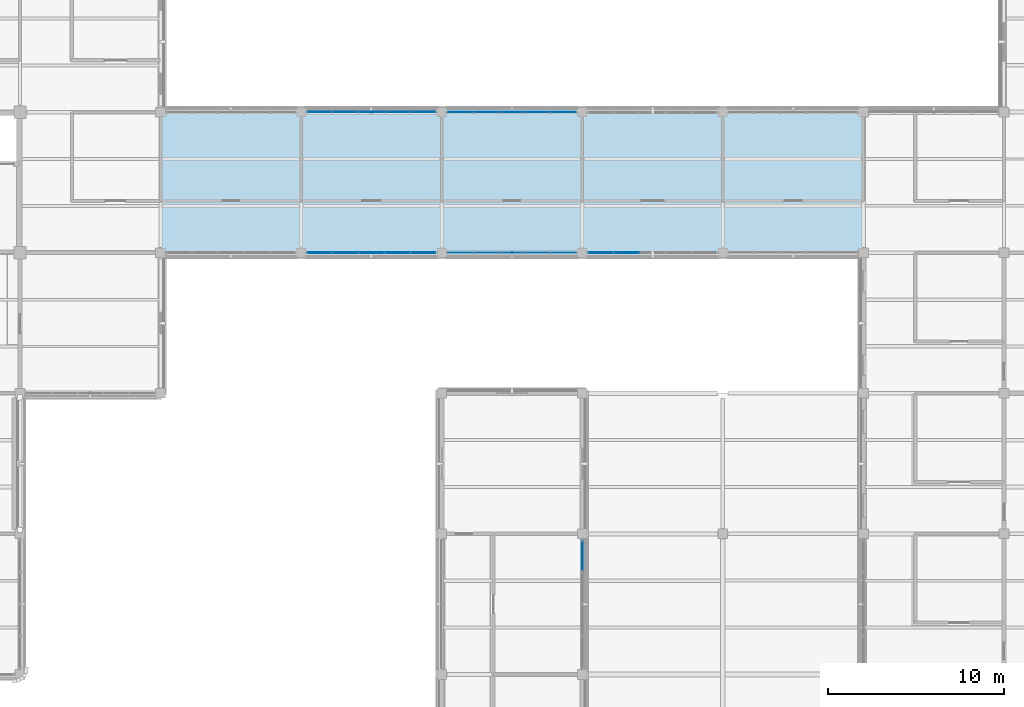
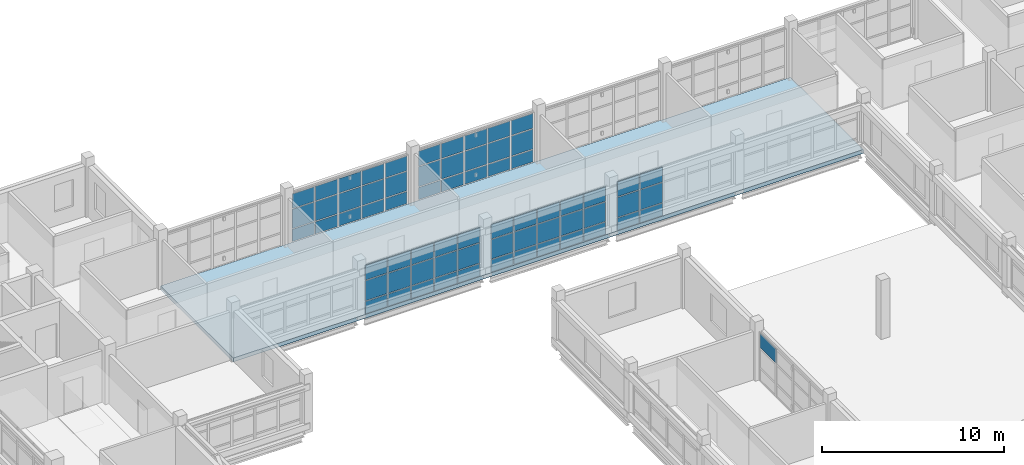
# One storey, part 66 of 107: 67 plates, 1 slab, 6 elements without a shape of their own.
"""IFC4 building model written with IfcOpenShell, lengths in metres."""

from ifc_helpers import new_model, si_unit, derived_unit, direction, frame, origin, origin_2d, place, context, subcontext, project, spatial, polyline, rectangle, outline, extrude, material, layer, layer_set, type_object, element, aggregate, save


model = new_model("IFC4")

# Units and contexts
model_context = context("Model", 3, precision=1e-05, world=origin(), true_north=direction((0.0, 1.0)))
body_context = subcontext(model_context, "Body", "Model", "MODEL_VIEW")
ifc_project = project(units=[si_unit("LENGTHUNIT", "METRE"), si_unit("AREAUNIT", "SQUARE_METRE"), si_unit("VOLUMEUNIT", "CUBIC_METRE"), si_unit("PLANEANGLEUNIT", "RADIAN"), si_unit("MASSUNIT", "GRAM", prefix="KILO"), derived_unit("THERMALTRANSMITTANCEUNIT", [(si_unit("MASSUNIT", "GRAM", prefix="KILO"), 1), (si_unit("TIMEUNIT", "SECOND"), -3), (si_unit("THERMODYNAMICTEMPERATUREUNIT", "KELVIN"), -1)])], contexts=[model_context])

# Site, building, storey
site_placement = place(None, origin())
site = spatial("IfcSite", under=ifc_project, at=site_placement, CompositionType="ELEMENT")
building_placement = place(site_placement, origin())
building = spatial("IfcBuilding", under=site, at=building_placement, Name="Veyamyaing Civic Hall", CompositionType="ELEMENT")
storey_placement = place(building_placement, frame((0.0, 0.0, 13.860107421875)))
storey = spatial("IfcBuildingStorey", under=building, at=storey_placement, Name="L03", CompositionType="ELEMENT", Elevation=13.860107421875)

# Curtain wall, plate
ifc_material_1 = material(Name="Anodised aluminium 6063-T6", Category="aluminium")
ifc_layer_1 = layer(ifc_material_1, 0.159912109375, Name="Anodised aluminium 6063-T6")
ifc_layer_set_1 = layer_set([ifc_layer_1], Name="Anodised aluminium 6063-T6")
curtain_wall_type_1 = type_object("IfcCurtainWallType", Name="CW-07", PredefinedType="NOTDEFINED", material=ifc_layer_set_1)
curtain_wall_1_placement = place(storey_placement, origin())
curtain_wall_1 = element("IfcCurtainWall", 1, at=curtain_wall_1_placement, inside=storey, type_object=curtain_wall_type_1, Name="Unitized curtain wall CW-07 L03 E 18.4", PredefinedType="NOTDEFINED")
ifc_material_2 = material(Name="Low-E insulated glass", Category="glass")
ifc_layer_2 = layer(ifc_material_2, 0.028076171875, Name="Low-E insulated glass")
ifc_layer_set_2 = layer_set([ifc_layer_2], Name="Low-E insulated glass")
plate_type_1 = type_object("IfcPlateType", Name="CWP-01", PredefinedType="CURTAIN_PANEL", material=ifc_layer_set_2)
plate_1_placement = place(storey_placement, frame((144.0, 30.7548828125, 2.24169921875), z_axis=(0.0, 0.0, 1.0), x_axis=(0.0, 1.0, 0.0)))
plate_1 = element("IfcPlate", 2, at=plate_1_placement, type_object=plate_type_1, Name="CW-07 panel 4.3", PredefinedType="CURTAIN_PANEL", context=body_context, shape_type="SweptSolid", body=[
    extrude(rectangle(XDim=1.75, YDim=0.028076171875, at=origin_2d()), origin(), (0.0, 0.0, 1.0), 0.942138671875),
])
aggregate(curtain_wall_1, [plate_1])

# Curtain wall, plates
ifc_layer_3 = layer(ifc_material_1, 0.139892578125, Name="Anodised aluminium 6063-T6")
ifc_layer_set_3 = layer_set([ifc_layer_3], Name="Anodised aluminium 6063-T6")
curtain_wall_type_2 = type_object("IfcCurtainWallType", Name="CW-04", PredefinedType="NOTDEFINED", material=ifc_layer_set_3)
curtain_wall_2_placement = place(storey_placement, origin())
curtain_wall_2 = element("IfcCurtainWall", 3, at=curtain_wall_2_placement, inside=storey, type_object=curtain_wall_type_2, Name="Unitized curtain wall CW-04 L03 S 17.7", PredefinedType="NOTDEFINED")
ifc_layer_4 = layer(ifc_material_2, 0.035888671875, Name="Low-E insulated glass")
ifc_layer_set_4 = layer_set([ifc_layer_4], Name="Low-E insulated glass")
plate_type_2 = type_object("IfcPlateType", Name="CWP-03", PredefinedType="CURTAIN_PANEL", material=ifc_layer_set_4)
plate_2_placement = place(storey_placement, frame((129.05908203125, 48.0, 0.059814453125), z_axis=(0.0, 0.0, 1.0), x_axis=(1.0, 0.0, 0.0)))
plate_2 = element("IfcPlate", 4, at=plate_2_placement, type_object=plate_type_2, Name="CW-04 panel 1.1", PredefinedType="CURTAIN_PANEL", context=body_context, shape_type="SweptSolid", body=[
    extrude(rectangle(XDim=1.387939453125, YDim=0.035888671875, at=origin_2d()), origin(), (0.0, 0.0, 1.0), 0.81005859375),
])
plate_3_placement = place(storey_placement, frame((129.05908203125, 48.0, 0.93017578125), z_axis=(0.0, 0.0, 1.0), x_axis=(1.0, 0.0, 0.0)))
plate_3 = element("IfcPlate", 5, at=plate_3_placement, type_object=plate_type_2, Name="CW-04 panel 1.2", PredefinedType="CURTAIN_PANEL", context=body_context, shape_type="SweptSolid", body=[
    extrude(rectangle(XDim=1.387939453125, YDim=0.035888671875, at=origin_2d()), origin(), (0.0, 0.0, 1.0), 1.327392578125),
])
plate_4_placement = place(storey_placement, frame((129.05908203125, 48.0, 2.3173828125), z_axis=(0.0, 0.0, 1.0), x_axis=(1.0, 0.0, 0.0)))
plate_4 = element("IfcPlate", 6, at=plate_4_placement, type_object=plate_type_2, Name="CW-04 panel 1.3", PredefinedType="CURTAIN_PANEL", context=body_context, shape_type="SweptSolid", body=[
    extrude(rectangle(XDim=1.387939453125, YDim=0.035888671875, at=origin_2d()), origin(), (0.0, 0.0, 1.0), 0.986572265625),
])
plate_5_placement = place(storey_placement, frame((130.52197265625, 48.0, 0.059814453125), z_axis=(0.0, 0.0, 1.0), x_axis=(1.0, 0.0, 0.0)))
plate_5 = element("IfcPlate", 7, at=plate_5_placement, type_object=plate_type_2, Name="CW-04 panel 2.1", PredefinedType="CURTAIN_PANEL", context=body_context, shape_type="SweptSolid", body=[
    extrude(rectangle(XDim=1.41796875, YDim=0.035888671875, at=origin_2d()), origin(), (0.0, 0.0, 1.0), 0.81005859375),
])
plate_6_placement = place(storey_placement, frame((130.52197265625, 48.0, 0.93017578125), z_axis=(0.0, 0.0, 1.0), x_axis=(1.0, 0.0, 0.0)))
plate_6 = element("IfcPlate", 8, at=plate_6_placement, type_object=plate_type_2, Name="CW-04 panel 2.2", PredefinedType="CURTAIN_PANEL", context=body_context, shape_type="SweptSolid", body=[
    extrude(rectangle(XDim=1.41796875, YDim=0.035888671875, at=origin_2d()), origin(), (0.0, 0.0, 1.0), 1.327392578125),
])
plate_7_placement = place(storey_placement, frame((130.52197265625, 48.0, 2.3173828125), z_axis=(0.0, 0.0, 1.0), x_axis=(1.0, 0.0, 0.0)))
plate_7 = element("IfcPlate", 9, at=plate_7_placement, type_object=plate_type_2, Name="CW-04 panel 2.3", PredefinedType="CURTAIN_PANEL", context=body_context, shape_type="SweptSolid", body=[
    extrude(rectangle(XDim=1.41796875, YDim=0.035888671875, at=origin_2d()), origin(), (0.0, 0.0, 1.0), 0.986572265625),
])
plate_8_placement = place(storey_placement, frame((132.0, 48.0, 0.059814453125), z_axis=(0.0, 0.0, 1.0), x_axis=(1.0, 0.0, 0.0)))
plate_8 = element("IfcPlate", 10, at=plate_8_placement, type_object=plate_type_2, Name="CW-04 panel 3.1", PredefinedType="CURTAIN_PANEL", context=body_context, shape_type="SweptSolid", body=[
    extrude(rectangle(XDim=1.41796875, YDim=0.035888671875, at=origin_2d()), origin(), (0.0, 0.0, 1.0), 0.81005859375),
])
plate_9_placement = place(storey_placement, frame((132.0, 48.0, 0.93017578125), z_axis=(0.0, 0.0, 1.0), x_axis=(1.0, 0.0, 0.0)))
plate_9 = element("IfcPlate", 11, at=plate_9_placement, type_object=plate_type_2, Name="CW-04 panel 3.2", PredefinedType="CURTAIN_PANEL", context=body_context, shape_type="SweptSolid", body=[
    extrude(rectangle(XDim=1.41796875, YDim=0.035888671875, at=origin_2d()), origin(), (0.0, 0.0, 1.0), 1.327392578125),
])
plate_10_placement = place(storey_placement, frame((132.0, 48.0, 2.3173828125), z_axis=(0.0, 0.0, 1.0), x_axis=(1.0, 0.0, 0.0)))
plate_10 = element("IfcPlate", 12, at=plate_10_placement, type_object=plate_type_2, Name="CW-04 panel 3.3", PredefinedType="CURTAIN_PANEL", context=body_context, shape_type="SweptSolid", body=[
    extrude(rectangle(XDim=1.41796875, YDim=0.035888671875, at=origin_2d()), origin(), (0.0, 0.0, 1.0), 0.986572265625),
])
plate_11_placement = place(storey_placement, frame((133.47802734375, 48.0, 0.059814453125), z_axis=(0.0, 0.0, 1.0), x_axis=(1.0, 0.0, 0.0)))
plate_11 = element("IfcPlate", 13, at=plate_11_placement, type_object=plate_type_2, Name="CW-04 panel 4.1", PredefinedType="CURTAIN_PANEL", context=body_context, shape_type="SweptSolid", body=[
    extrude(rectangle(XDim=1.41796875, YDim=0.035888671875, at=origin_2d()), origin(), (0.0, 0.0, 1.0), 0.81005859375),
])
plate_12_placement = place(storey_placement, frame((133.47802734375, 48.0, 0.93017578125), z_axis=(0.0, 0.0, 1.0), x_axis=(1.0, 0.0, 0.0)))
plate_12 = element("IfcPlate", 14, at=plate_12_placement, type_object=plate_type_2, Name="CW-04 panel 4.2", PredefinedType="CURTAIN_PANEL", context=body_context, shape_type="SweptSolid", body=[
    extrude(rectangle(XDim=1.41796875, YDim=0.035888671875, at=origin_2d()), origin(), (0.0, 0.0, 1.0), 1.327392578125),
])
plate_13_placement = place(storey_placement, frame((133.47802734375, 48.0, 2.3173828125), z_axis=(0.0, 0.0, 1.0), x_axis=(1.0, 0.0, 0.0)))
plate_13 = element("IfcPlate", 15, at=plate_13_placement, type_object=plate_type_2, Name="CW-04 panel 4.3", PredefinedType="CURTAIN_PANEL", context=body_context, shape_type="SweptSolid", body=[
    extrude(rectangle(XDim=1.41796875, YDim=0.035888671875, at=origin_2d()), origin(), (0.0, 0.0, 1.0), 0.986572265625),
])
plate_14_placement = place(storey_placement, frame((134.94091796875, 48.0, 0.059814453125), z_axis=(0.0, 0.0, 1.0), x_axis=(1.0, 0.0, 0.0)))
plate_14 = element("IfcPlate", 16, at=plate_14_placement, type_object=plate_type_2, Name="CW-04 panel 5.1", PredefinedType="CURTAIN_PANEL", context=body_context, shape_type="SweptSolid", body=[
    extrude(rectangle(XDim=1.387939453125, YDim=0.035888671875, at=origin_2d()), origin(), (0.0, 0.0, 1.0), 0.81005859375),
])
plate_15_placement = place(storey_placement, frame((134.94091796875, 48.0, 0.93017578125), z_axis=(0.0, 0.0, 1.0), x_axis=(1.0, 0.0, 0.0)))
plate_15 = element("IfcPlate", 17, at=plate_15_placement, type_object=plate_type_2, Name="CW-04 panel 5.2", PredefinedType="CURTAIN_PANEL", context=body_context, shape_type="SweptSolid", body=[
    extrude(rectangle(XDim=1.387939453125, YDim=0.035888671875, at=origin_2d()), origin(), (0.0, 0.0, 1.0), 1.327392578125),
])
plate_16_placement = place(storey_placement, frame((134.94091796875, 48.0, 2.3173828125), z_axis=(0.0, 0.0, 1.0), x_axis=(1.0, 0.0, 0.0)))
plate_16 = element("IfcPlate", 18, at=plate_16_placement, type_object=plate_type_2, Name="CW-04 panel 5.3", PredefinedType="CURTAIN_PANEL", context=body_context, shape_type="SweptSolid", body=[
    extrude(rectangle(XDim=1.387939453125, YDim=0.035888671875, at=origin_2d()), origin(), (0.0, 0.0, 1.0), 0.986572265625),
])
aggregate(curtain_wall_2, [plate_2, plate_3, plate_4, plate_5, plate_6, plate_7, plate_8, plate_9, plate_10, plate_11, plate_12, plate_13, plate_14, plate_15, plate_16])

curtain_wall_3_placement = place(storey_placement, origin())
curtain_wall_3 = element("IfcCurtainWall", 19, at=curtain_wall_3_placement, inside=storey, type_object=curtain_wall_type_2, Name="Unitized curtain wall CW-04 L03 N 17.7", PredefinedType="NOTDEFINED")
plate_17_placement = place(storey_placement, frame((129.05908203125, 56.0, 0.059814453125), z_axis=(0.0, 0.0, 1.0), x_axis=(1.0, 0.0, 0.0)))
plate_17 = element("IfcPlate", 20, at=plate_17_placement, type_object=plate_type_2, Name="CW-04 panel 1.1", PredefinedType="CURTAIN_PANEL", context=body_context, shape_type="SweptSolid", body=[
    extrude(rectangle(XDim=1.387939453125, YDim=0.035888671875, at=origin_2d()), origin(), (0.0, 0.0, 1.0), 0.81005859375),
])
plate_18_placement = place(storey_placement, frame((129.05908203125, 56.0, 0.929931640625), z_axis=(0.0, 0.0, 1.0), x_axis=(1.0, 0.0, 0.0)))
plate_18 = element("IfcPlate", 21, at=plate_18_placement, type_object=plate_type_2, Name="CW-04 panel 1.2", PredefinedType="CURTAIN_PANEL", context=body_context, shape_type="SweptSolid", body=[
    extrude(rectangle(XDim=1.387939453125, YDim=0.035888671875, at=origin_2d()), origin(), (0.0, 0.0, 1.0), 1.28662109375),
])
plate_19_placement = place(storey_placement, frame((129.05908203125, 56.0, 2.276611328125), z_axis=(0.0, 0.0, 1.0), x_axis=(1.0, 0.0, 0.0)))
plate_19 = element("IfcPlate", 22, at=plate_19_placement, type_object=plate_type_2, Name="CW-04 panel 1.3", PredefinedType="CURTAIN_PANEL", context=body_context, shape_type="SweptSolid", body=[
    extrude(rectangle(XDim=1.387939453125, YDim=0.035888671875, at=origin_2d()), origin(), (0.0, 0.0, 1.0), 0.96728515625),
])
plate_20_placement = place(storey_placement, frame((130.52197265625, 56.0, 0.059814453125), z_axis=(0.0, 0.0, 1.0), x_axis=(1.0, 0.0, 0.0)))
plate_20 = element("IfcPlate", 23, at=plate_20_placement, type_object=plate_type_2, Name="CW-04 panel 2.1", PredefinedType="CURTAIN_PANEL", context=body_context, shape_type="SweptSolid", body=[
    extrude(rectangle(XDim=1.41796875, YDim=0.035888671875, at=origin_2d()), origin(), (0.0, 0.0, 1.0), 0.81005859375),
])
plate_21_placement = place(storey_placement, frame((130.52197265625, 56.0, 0.929931640625), z_axis=(0.0, 0.0, 1.0), x_axis=(1.0, 0.0, 0.0)))
plate_21 = element("IfcPlate", 24, at=plate_21_placement, type_object=plate_type_2, Name="CW-04 panel 2.2", PredefinedType="CURTAIN_PANEL", context=body_context, shape_type="SweptSolid", body=[
    extrude(rectangle(XDim=1.41796875, YDim=0.035888671875, at=origin_2d()), origin(), (0.0, 0.0, 1.0), 1.28662109375),
])
plate_22_placement = place(storey_placement, frame((130.52197265625, 56.0, 2.276611328125), z_axis=(0.0, 0.0, 1.0), x_axis=(1.0, 0.0, 0.0)))
plate_22 = element("IfcPlate", 25, at=plate_22_placement, type_object=plate_type_2, Name="CW-04 panel 2.3", PredefinedType="CURTAIN_PANEL", context=body_context, shape_type="SweptSolid", body=[
    extrude(rectangle(XDim=1.41796875, YDim=0.035888671875, at=origin_2d()), origin(), (0.0, 0.0, 1.0), 0.96728515625),
])
plate_23_placement = place(storey_placement, frame((132.0, 56.0, 0.059814453125), z_axis=(0.0, 0.0, 1.0), x_axis=(1.0, 0.0, 0.0)))
plate_23 = element("IfcPlate", 26, at=plate_23_placement, type_object=plate_type_2, Name="CW-04 panel 3.1", PredefinedType="CURTAIN_PANEL", context=body_context, shape_type="SweptSolid", body=[
    extrude(rectangle(XDim=1.41796875, YDim=0.035888671875, at=origin_2d()), origin(), (0.0, 0.0, 1.0), 0.81005859375),
])
plate_24_placement = place(storey_placement, frame((132.0, 56.0, 0.929931640625), z_axis=(0.0, 0.0, 1.0), x_axis=(1.0, 0.0, 0.0)))
plate_24 = element("IfcPlate", 27, at=plate_24_placement, type_object=plate_type_2, Name="CW-04 panel 3.2", PredefinedType="CURTAIN_PANEL", context=body_context, shape_type="SweptSolid", body=[
    extrude(rectangle(XDim=1.41796875, YDim=0.035888671875, at=origin_2d()), origin(), (0.0, 0.0, 1.0), 1.28662109375),
])
plate_25_placement = place(storey_placement, frame((132.0, 56.0, 2.276611328125), z_axis=(0.0, 0.0, 1.0), x_axis=(1.0, 0.0, 0.0)))
plate_25 = element("IfcPlate", 28, at=plate_25_placement, type_object=plate_type_2, Name="CW-04 panel 3.3", PredefinedType="CURTAIN_PANEL", context=body_context, shape_type="SweptSolid", body=[
    extrude(rectangle(XDim=1.41796875, YDim=0.035888671875, at=origin_2d()), origin(), (0.0, 0.0, 1.0), 0.96728515625),
])
plate_26_placement = place(storey_placement, frame((133.47802734375, 56.0, 0.059814453125), z_axis=(0.0, 0.0, 1.0), x_axis=(1.0, 0.0, 0.0)))
plate_26 = element("IfcPlate", 29, at=plate_26_placement, type_object=plate_type_2, Name="CW-04 panel 4.1", PredefinedType="CURTAIN_PANEL", context=body_context, shape_type="SweptSolid", body=[
    extrude(rectangle(XDim=1.41796875, YDim=0.035888671875, at=origin_2d()), origin(), (0.0, 0.0, 1.0), 0.81005859375),
])
plate_27_placement = place(storey_placement, frame((133.47802734375, 56.0, 0.929931640625), z_axis=(0.0, 0.0, 1.0), x_axis=(1.0, 0.0, 0.0)))
plate_27 = element("IfcPlate", 30, at=plate_27_placement, type_object=plate_type_2, Name="CW-04 panel 4.2", PredefinedType="CURTAIN_PANEL", context=body_context, shape_type="SweptSolid", body=[
    extrude(rectangle(XDim=1.41796875, YDim=0.035888671875, at=origin_2d()), origin(), (0.0, 0.0, 1.0), 1.28662109375),
])
plate_28_placement = place(storey_placement, frame((133.47802734375, 56.0, 2.276611328125), z_axis=(0.0, 0.0, 1.0), x_axis=(1.0, 0.0, 0.0)))
plate_28 = element("IfcPlate", 31, at=plate_28_placement, type_object=plate_type_2, Name="CW-04 panel 4.3", PredefinedType="CURTAIN_PANEL", context=body_context, shape_type="SweptSolid", body=[
    extrude(rectangle(XDim=1.41796875, YDim=0.035888671875, at=origin_2d()), origin(), (0.0, 0.0, 1.0), 0.96728515625),
])
plate_29_placement = place(storey_placement, frame((134.94091796875, 56.0, 0.059814453125), z_axis=(0.0, 0.0, 1.0), x_axis=(1.0, 0.0, 0.0)))
plate_29 = element("IfcPlate", 32, at=plate_29_placement, type_object=plate_type_2, Name="CW-04 panel 5.1", PredefinedType="CURTAIN_PANEL", context=body_context, shape_type="SweptSolid", body=[
    extrude(rectangle(XDim=1.387939453125, YDim=0.035888671875, at=origin_2d()), origin(), (0.0, 0.0, 1.0), 0.81005859375),
])
plate_30_placement = place(storey_placement, frame((134.94091796875, 56.0, 0.929931640625), z_axis=(0.0, 0.0, 1.0), x_axis=(1.0, 0.0, 0.0)))
plate_30 = element("IfcPlate", 33, at=plate_30_placement, type_object=plate_type_2, Name="CW-04 panel 5.2", PredefinedType="CURTAIN_PANEL", context=body_context, shape_type="SweptSolid", body=[
    extrude(rectangle(XDim=1.387939453125, YDim=0.035888671875, at=origin_2d()), origin(), (0.0, 0.0, 1.0), 1.28662109375),
])
plate_31_placement = place(storey_placement, frame((134.94091796875, 56.0, 2.276611328125), z_axis=(0.0, 0.0, 1.0), x_axis=(1.0, 0.0, 0.0)))
plate_31 = element("IfcPlate", 34, at=plate_31_placement, type_object=plate_type_2, Name="CW-04 panel 5.3", PredefinedType="CURTAIN_PANEL", context=body_context, shape_type="SweptSolid", body=[
    extrude(rectangle(XDim=1.387939453125, YDim=0.035888671875, at=origin_2d()), origin(), (0.0, 0.0, 1.0), 0.96728515625),
])
aggregate(curtain_wall_3, [plate_17, plate_18, plate_19, plate_20, plate_21, plate_22, plate_23, plate_24, plate_25, plate_26, plate_27, plate_28, plate_29, plate_30, plate_31])

curtain_wall_4_placement = place(storey_placement, origin())
curtain_wall_4 = element("IfcCurtainWall", 35, at=curtain_wall_4_placement, inside=storey, type_object=curtain_wall_type_2, Name="Unitized curtain wall CW-04 L03 S 18.7", PredefinedType="NOTDEFINED")
ifc_layer_5 = layer(ifc_material_2, 0.02392578125, Name="Low-E insulated glass")
ifc_layer_set_5 = layer_set([ifc_layer_5], Name="Low-E insulated glass")
plate_type_3 = type_object("IfcPlateType", Name="CWP-04", PredefinedType="CURTAIN_PANEL", material=ifc_layer_set_5)
plate_32_placement = place(storey_placement, frame((137.05908203125, 48.0, 0.059814453125), z_axis=(0.0, 0.0, 1.0), x_axis=(1.0, 0.0, 0.0)))
plate_32 = element("IfcPlate", 36, at=plate_32_placement, type_object=plate_type_3, Name="CW-04 panel 1.1", PredefinedType="CURTAIN_PANEL", context=body_context, shape_type="SweptSolid", body=[
    extrude(rectangle(XDim=1.387939453125, YDim=0.02392578125, at=origin_2d()), origin(), (0.0, 0.0, 1.0), 0.81005859375),
])
plate_33_placement = place(storey_placement, frame((137.05908203125, 48.0, 0.929931640625), z_axis=(0.0, 0.0, 1.0), x_axis=(1.0, 0.0, 0.0)))
plate_33 = element("IfcPlate", 37, at=plate_33_placement, type_object=plate_type_3, Name="CW-04 panel 1.2", PredefinedType="CURTAIN_PANEL", context=body_context, shape_type="SweptSolid", body=[
    extrude(rectangle(XDim=1.387939453125, YDim=0.02392578125, at=origin_2d()), origin(), (0.0, 0.0, 1.0), 1.28662109375),
])
plate_34_placement = place(storey_placement, frame((137.05908203125, 48.0, 2.276611328125), z_axis=(0.0, 0.0, 1.0), x_axis=(1.0, 0.0, 0.0)))
plate_34 = element("IfcPlate", 38, at=plate_34_placement, type_object=plate_type_3, Name="CW-04 panel 1.3", PredefinedType="CURTAIN_PANEL", context=body_context, shape_type="SweptSolid", body=[
    extrude(rectangle(XDim=1.387939453125, YDim=0.02392578125, at=origin_2d()), origin(), (0.0, 0.0, 1.0), 0.96728515625),
])
plate_35_placement = place(storey_placement, frame((138.52197265625, 48.0, 0.059814453125), z_axis=(0.0, 0.0, 1.0), x_axis=(1.0, 0.0, 0.0)))
plate_35 = element("IfcPlate", 39, at=plate_35_placement, type_object=plate_type_3, Name="CW-04 panel 2.1", PredefinedType="CURTAIN_PANEL", context=body_context, shape_type="SweptSolid", body=[
    extrude(rectangle(XDim=1.41796875, YDim=0.02392578125, at=origin_2d()), origin(), (0.0, 0.0, 1.0), 0.81005859375),
])
plate_36_placement = place(storey_placement, frame((138.52197265625, 48.0, 0.929931640625), z_axis=(0.0, 0.0, 1.0), x_axis=(1.0, 0.0, 0.0)))
plate_36 = element("IfcPlate", 40, at=plate_36_placement, type_object=plate_type_3, Name="CW-04 panel 2.2", PredefinedType="CURTAIN_PANEL", context=body_context, shape_type="SweptSolid", body=[
    extrude(rectangle(XDim=1.41796875, YDim=0.02392578125, at=origin_2d()), origin(), (0.0, 0.0, 1.0), 1.28662109375),
])
plate_37_placement = place(storey_placement, frame((138.52197265625, 48.0, 2.276611328125), z_axis=(0.0, 0.0, 1.0), x_axis=(1.0, 0.0, 0.0)))
plate_37 = element("IfcPlate", 41, at=plate_37_placement, type_object=plate_type_3, Name="CW-04 panel 2.3", PredefinedType="CURTAIN_PANEL", context=body_context, shape_type="SweptSolid", body=[
    extrude(rectangle(XDim=1.41796875, YDim=0.02392578125, at=origin_2d()), origin(), (0.0, 0.0, 1.0), 0.96728515625),
])
plate_38_placement = place(storey_placement, frame((140.0, 48.0, 0.059814453125), z_axis=(0.0, 0.0, 1.0), x_axis=(1.0, 0.0, 0.0)))
plate_38 = element("IfcPlate", 42, at=plate_38_placement, type_object=plate_type_3, Name="CW-04 panel 3.1", PredefinedType="CURTAIN_PANEL", context=body_context, shape_type="SweptSolid", body=[
    extrude(rectangle(XDim=1.41796875, YDim=0.02392578125, at=origin_2d()), origin(), (0.0, 0.0, 1.0), 0.81005859375),
])
plate_39_placement = place(storey_placement, frame((140.0, 48.0, 0.929931640625), z_axis=(0.0, 0.0, 1.0), x_axis=(1.0, 0.0, 0.0)))
plate_39 = element("IfcPlate", 43, at=plate_39_placement, type_object=plate_type_3, Name="CW-04 panel 3.2", PredefinedType="CURTAIN_PANEL", context=body_context, shape_type="SweptSolid", body=[
    extrude(rectangle(XDim=1.41796875, YDim=0.02392578125, at=origin_2d()), origin(), (0.0, 0.0, 1.0), 1.28662109375),
])
plate_40_placement = place(storey_placement, frame((140.0, 48.0, 2.276611328125), z_axis=(0.0, 0.0, 1.0), x_axis=(1.0, 0.0, 0.0)))
plate_40 = element("IfcPlate", 44, at=plate_40_placement, type_object=plate_type_3, Name="CW-04 panel 3.3", PredefinedType="CURTAIN_PANEL", context=body_context, shape_type="SweptSolid", body=[
    extrude(rectangle(XDim=1.41796875, YDim=0.02392578125, at=origin_2d()), origin(), (0.0, 0.0, 1.0), 0.96728515625),
])
plate_41_placement = place(storey_placement, frame((141.47802734375, 48.0, 0.059814453125), z_axis=(0.0, 0.0, 1.0), x_axis=(1.0, 0.0, 0.0)))
plate_41 = element("IfcPlate", 45, at=plate_41_placement, type_object=plate_type_3, Name="CW-04 panel 4.1", PredefinedType="CURTAIN_PANEL", context=body_context, shape_type="SweptSolid", body=[
    extrude(rectangle(XDim=1.41796875, YDim=0.02392578125, at=origin_2d()), origin(), (0.0, 0.0, 1.0), 0.81005859375),
])
plate_42_placement = place(storey_placement, frame((141.47802734375, 48.0, 0.929931640625), z_axis=(0.0, 0.0, 1.0), x_axis=(1.0, 0.0, 0.0)))
plate_42 = element("IfcPlate", 46, at=plate_42_placement, type_object=plate_type_3, Name="CW-04 panel 4.2", PredefinedType="CURTAIN_PANEL", context=body_context, shape_type="SweptSolid", body=[
    extrude(rectangle(XDim=1.41796875, YDim=0.02392578125, at=origin_2d()), origin(), (0.0, 0.0, 1.0), 1.28662109375),
])
plate_43_placement = place(storey_placement, frame((141.47802734375, 48.0, 2.276611328125), z_axis=(0.0, 0.0, 1.0), x_axis=(1.0, 0.0, 0.0)))
plate_43 = element("IfcPlate", 47, at=plate_43_placement, type_object=plate_type_3, Name="CW-04 panel 4.3", PredefinedType="CURTAIN_PANEL", context=body_context, shape_type="SweptSolid", body=[
    extrude(rectangle(XDim=1.41796875, YDim=0.02392578125, at=origin_2d()), origin(), (0.0, 0.0, 1.0), 0.96728515625),
])
plate_44_placement = place(storey_placement, frame((142.94091796875, 48.0, 0.059814453125), z_axis=(0.0, 0.0, 1.0), x_axis=(1.0, 0.0, 0.0)))
plate_44 = element("IfcPlate", 48, at=plate_44_placement, type_object=plate_type_3, Name="CW-04 panel 5.1", PredefinedType="CURTAIN_PANEL", context=body_context, shape_type="SweptSolid", body=[
    extrude(rectangle(XDim=1.387939453125, YDim=0.02392578125, at=origin_2d()), origin(), (0.0, 0.0, 1.0), 0.81005859375),
])
plate_45_placement = place(storey_placement, frame((142.94091796875, 48.0, 0.929931640625), z_axis=(0.0, 0.0, 1.0), x_axis=(1.0, 0.0, 0.0)))
plate_45 = element("IfcPlate", 49, at=plate_45_placement, type_object=plate_type_3, Name="CW-04 panel 5.2", PredefinedType="CURTAIN_PANEL", context=body_context, shape_type="SweptSolid", body=[
    extrude(rectangle(XDim=1.387939453125, YDim=0.02392578125, at=origin_2d()), origin(), (0.0, 0.0, 1.0), 1.28662109375),
])
plate_46_placement = place(storey_placement, frame((142.94091796875, 48.0, 2.276611328125), z_axis=(0.0, 0.0, 1.0), x_axis=(1.0, 0.0, 0.0)))
plate_46 = element("IfcPlate", 50, at=plate_46_placement, type_object=plate_type_3, Name="CW-04 panel 5.3", PredefinedType="CURTAIN_PANEL", context=body_context, shape_type="SweptSolid", body=[
    extrude(rectangle(XDim=1.387939453125, YDim=0.02392578125, at=origin_2d()), origin(), (0.0, 0.0, 1.0), 0.96728515625),
])
aggregate(curtain_wall_4, [plate_32, plate_33, plate_34, plate_35, plate_36, plate_37, plate_38, plate_39, plate_40, plate_41, plate_42, plate_43, plate_44, plate_45, plate_46])

curtain_wall_5_placement = place(storey_placement, origin())
curtain_wall_5 = element("IfcCurtainWall", 51, at=curtain_wall_5_placement, inside=storey, type_object=curtain_wall_type_2, Name="Unitized curtain wall CW-04 L03 N 18.7", PredefinedType="NOTDEFINED")
plate_47_placement = place(storey_placement, frame((137.05908203125, 56.0, 0.059814453125), z_axis=(0.0, 0.0, 1.0), x_axis=(1.0, 0.0, 0.0)))
plate_47 = element("IfcPlate", 52, at=plate_47_placement, type_object=plate_type_3, Name="CW-04 panel 1.1", PredefinedType="CURTAIN_PANEL", context=body_context, shape_type="SweptSolid", body=[
    extrude(rectangle(XDim=1.387939453125, YDim=0.02392578125, at=origin_2d()), origin(), (0.0, 0.0, 1.0), 0.81005859375),
])
plate_48_placement = place(storey_placement, frame((137.05908203125, 56.0, 0.929931640625), z_axis=(0.0, 0.0, 1.0), x_axis=(1.0, 0.0, 0.0)))
plate_48 = element("IfcPlate", 53, at=plate_48_placement, type_object=plate_type_3, Name="CW-04 panel 1.2", PredefinedType="CURTAIN_PANEL", context=body_context, shape_type="SweptSolid", body=[
    extrude(rectangle(XDim=1.387939453125, YDim=0.02392578125, at=origin_2d()), origin(), (0.0, 0.0, 1.0), 1.32958984375),
])
plate_49_placement = place(storey_placement, frame((137.05908203125, 56.0, 2.319580078125), z_axis=(0.0, 0.0, 1.0), x_axis=(1.0, 0.0, 0.0)))
plate_49 = element("IfcPlate", 54, at=plate_49_placement, type_object=plate_type_3, Name="CW-04 panel 1.3", PredefinedType="CURTAIN_PANEL", context=body_context, shape_type="SweptSolid", body=[
    extrude(rectangle(XDim=1.387939453125, YDim=0.02392578125, at=origin_2d()), origin(), (0.0, 0.0, 1.0), 0.9873046875),
])
plate_50_placement = place(storey_placement, frame((138.52197265625, 56.0, 0.059814453125), z_axis=(0.0, 0.0, 1.0), x_axis=(1.0, 0.0, 0.0)))
plate_50 = element("IfcPlate", 55, at=plate_50_placement, type_object=plate_type_3, Name="CW-04 panel 2.1", PredefinedType="CURTAIN_PANEL", context=body_context, shape_type="SweptSolid", body=[
    extrude(rectangle(XDim=1.41796875, YDim=0.02392578125, at=origin_2d()), origin(), (0.0, 0.0, 1.0), 0.81005859375),
])
plate_51_placement = place(storey_placement, frame((138.52197265625, 56.0, 0.929931640625), z_axis=(0.0, 0.0, 1.0), x_axis=(1.0, 0.0, 0.0)))
plate_51 = element("IfcPlate", 56, at=plate_51_placement, type_object=plate_type_3, Name="CW-04 panel 2.2", PredefinedType="CURTAIN_PANEL", context=body_context, shape_type="SweptSolid", body=[
    extrude(rectangle(XDim=1.41796875, YDim=0.02392578125, at=origin_2d()), origin(), (0.0, 0.0, 1.0), 1.32958984375),
])
plate_52_placement = place(storey_placement, frame((138.52197265625, 56.0, 2.319580078125), z_axis=(0.0, 0.0, 1.0), x_axis=(1.0, 0.0, 0.0)))
plate_52 = element("IfcPlate", 57, at=plate_52_placement, type_object=plate_type_3, Name="CW-04 panel 2.3", PredefinedType="CURTAIN_PANEL", context=body_context, shape_type="SweptSolid", body=[
    extrude(rectangle(XDim=1.41796875, YDim=0.02392578125, at=origin_2d()), origin(), (0.0, 0.0, 1.0), 0.9873046875),
])
plate_53_placement = place(storey_placement, frame((140.0, 56.0, 0.059814453125), z_axis=(0.0, 0.0, 1.0), x_axis=(1.0, 0.0, 0.0)))
plate_53 = element("IfcPlate", 58, at=plate_53_placement, type_object=plate_type_3, Name="CW-04 panel 3.1", PredefinedType="CURTAIN_PANEL", context=body_context, shape_type="SweptSolid", body=[
    extrude(rectangle(XDim=1.41796875, YDim=0.02392578125, at=origin_2d()), origin(), (0.0, 0.0, 1.0), 0.81005859375),
])
plate_54_placement = place(storey_placement, frame((140.0, 56.0, 0.929931640625), z_axis=(0.0, 0.0, 1.0), x_axis=(1.0, 0.0, 0.0)))
plate_54 = element("IfcPlate", 59, at=plate_54_placement, type_object=plate_type_3, Name="CW-04 panel 3.2", PredefinedType="CURTAIN_PANEL", context=body_context, shape_type="SweptSolid", body=[
    extrude(rectangle(XDim=1.41796875, YDim=0.02392578125, at=origin_2d()), origin(), (0.0, 0.0, 1.0), 1.32958984375),
])
plate_55_placement = place(storey_placement, frame((140.0, 56.0, 2.319580078125), z_axis=(0.0, 0.0, 1.0), x_axis=(1.0, 0.0, 0.0)))
plate_55 = element("IfcPlate", 60, at=plate_55_placement, type_object=plate_type_3, Name="CW-04 panel 3.3", PredefinedType="CURTAIN_PANEL", context=body_context, shape_type="SweptSolid", body=[
    extrude(rectangle(XDim=1.41796875, YDim=0.02392578125, at=origin_2d()), origin(), (0.0, 0.0, 1.0), 0.9873046875),
])
plate_56_placement = place(storey_placement, frame((141.47802734375, 56.0, 0.059814453125), z_axis=(0.0, 0.0, 1.0), x_axis=(1.0, 0.0, 0.0)))
plate_56 = element("IfcPlate", 61, at=plate_56_placement, type_object=plate_type_3, Name="CW-04 panel 4.1", PredefinedType="CURTAIN_PANEL", context=body_context, shape_type="SweptSolid", body=[
    extrude(rectangle(XDim=1.41796875, YDim=0.02392578125, at=origin_2d()), origin(), (0.0, 0.0, 1.0), 0.81005859375),
])
plate_57_placement = place(storey_placement, frame((141.47802734375, 56.0, 0.929931640625), z_axis=(0.0, 0.0, 1.0), x_axis=(1.0, 0.0, 0.0)))
plate_57 = element("IfcPlate", 62, at=plate_57_placement, type_object=plate_type_3, Name="CW-04 panel 4.2", PredefinedType="CURTAIN_PANEL", context=body_context, shape_type="SweptSolid", body=[
    extrude(rectangle(XDim=1.41796875, YDim=0.02392578125, at=origin_2d()), origin(), (0.0, 0.0, 1.0), 1.32958984375),
])
plate_58_placement = place(storey_placement, frame((141.47802734375, 56.0, 2.319580078125), z_axis=(0.0, 0.0, 1.0), x_axis=(1.0, 0.0, 0.0)))
plate_58 = element("IfcPlate", 63, at=plate_58_placement, type_object=plate_type_3, Name="CW-04 panel 4.3", PredefinedType="CURTAIN_PANEL", context=body_context, shape_type="SweptSolid", body=[
    extrude(rectangle(XDim=1.41796875, YDim=0.02392578125, at=origin_2d()), origin(), (0.0, 0.0, 1.0), 0.9873046875),
])
plate_59_placement = place(storey_placement, frame((142.94091796875, 56.0, 0.059814453125), z_axis=(0.0, 0.0, 1.0), x_axis=(1.0, 0.0, 0.0)))
plate_59 = element("IfcPlate", 64, at=plate_59_placement, type_object=plate_type_3, Name="CW-04 panel 5.1", PredefinedType="CURTAIN_PANEL", context=body_context, shape_type="SweptSolid", body=[
    extrude(rectangle(XDim=1.387939453125, YDim=0.02392578125, at=origin_2d()), origin(), (0.0, 0.0, 1.0), 0.81005859375),
])
plate_60_placement = place(storey_placement, frame((142.94091796875, 56.0, 0.929931640625), z_axis=(0.0, 0.0, 1.0), x_axis=(1.0, 0.0, 0.0)))
plate_60 = element("IfcPlate", 65, at=plate_60_placement, type_object=plate_type_3, Name="CW-04 panel 5.2", PredefinedType="CURTAIN_PANEL", context=body_context, shape_type="SweptSolid", body=[
    extrude(rectangle(XDim=1.387939453125, YDim=0.02392578125, at=origin_2d()), origin(), (0.0, 0.0, 1.0), 1.32958984375),
])
plate_61_placement = place(storey_placement, frame((142.94091796875, 56.0, 2.319580078125), z_axis=(0.0, 0.0, 1.0), x_axis=(1.0, 0.0, 0.0)))
plate_61 = element("IfcPlate", 66, at=plate_61_placement, type_object=plate_type_3, Name="CW-04 panel 5.3", PredefinedType="CURTAIN_PANEL", context=body_context, shape_type="SweptSolid", body=[
    extrude(rectangle(XDim=1.387939453125, YDim=0.02392578125, at=origin_2d()), origin(), (0.0, 0.0, 1.0), 0.9873046875),
])
aggregate(curtain_wall_5, [plate_47, plate_48, plate_49, plate_50, plate_51, plate_52, plate_53, plate_54, plate_55, plate_56, plate_57, plate_58, plate_59, plate_60, plate_61])

curtain_wall_6_placement = place(storey_placement, origin())
curtain_wall_6 = element("IfcCurtainWall", 67, at=curtain_wall_6_placement, inside=storey, type_object=curtain_wall_type_2, Name="Unitized curtain wall CW-04 L03 S 19.7", PredefinedType="NOTDEFINED")
ifc_layer_6 = layer(ifc_material_2, 0.0400390625, Name="Low-E insulated glass")
ifc_layer_set_6 = layer_set([ifc_layer_6], Name="Low-E insulated glass")
plate_type_4 = type_object("IfcPlateType", Name="CWP-05", PredefinedType="CURTAIN_PANEL", material=ifc_layer_set_6)
plate_62_placement = place(storey_placement, frame((145.05908203125, 48.0, 0.059814453125), z_axis=(0.0, 0.0, 1.0), x_axis=(1.0, 0.0, 0.0)))
plate_62 = element("IfcPlate", 68, at=plate_62_placement, type_object=plate_type_4, Name="CW-04 panel 1.1", PredefinedType="CURTAIN_PANEL", context=body_context, shape_type="SweptSolid", body=[
    extrude(rectangle(XDim=1.387939453125, YDim=0.0400390625, at=origin_2d()), origin(), (0.0, 0.0, 1.0), 0.81005859375),
])
plate_63_placement = place(storey_placement, frame((145.05908203125, 48.0, 0.929931640625), z_axis=(0.0, 0.0, 1.0), x_axis=(1.0, 0.0, 0.0)))
plate_63 = element("IfcPlate", 69, at=plate_63_placement, type_object=plate_type_4, Name="CW-04 panel 1.2", PredefinedType="CURTAIN_PANEL", context=body_context, shape_type="SweptSolid", body=[
    extrude(rectangle(XDim=1.387939453125, YDim=0.0400390625, at=origin_2d()), origin(), (0.0, 0.0, 1.0), 1.32958984375),
])
plate_64_placement = place(storey_placement, frame((145.05908203125, 48.0, 2.319580078125), z_axis=(0.0, 0.0, 1.0), x_axis=(1.0, 0.0, 0.0)))
plate_64 = element("IfcPlate", 70, at=plate_64_placement, type_object=plate_type_4, Name="CW-04 panel 1.3", PredefinedType="CURTAIN_PANEL", context=body_context, shape_type="SweptSolid", body=[
    extrude(rectangle(XDim=1.387939453125, YDim=0.0400390625, at=origin_2d()), origin(), (0.0, 0.0, 1.0), 0.9873046875),
])
plate_65_placement = place(storey_placement, frame((146.52197265625, 48.0, 0.059814453125), z_axis=(0.0, 0.0, 1.0), x_axis=(1.0, 0.0, 0.0)))
plate_65 = element("IfcPlate", 71, at=plate_65_placement, type_object=plate_type_4, Name="CW-04 panel 2.1", PredefinedType="CURTAIN_PANEL", context=body_context, shape_type="SweptSolid", body=[
    extrude(rectangle(XDim=1.41796875, YDim=0.0400390625, at=origin_2d()), origin(), (0.0, 0.0, 1.0), 0.81005859375),
])
plate_66_placement = place(storey_placement, frame((146.52197265625, 48.0, 0.929931640625), z_axis=(0.0, 0.0, 1.0), x_axis=(1.0, 0.0, 0.0)))
plate_66 = element("IfcPlate", 72, at=plate_66_placement, type_object=plate_type_4, Name="CW-04 panel 2.2", PredefinedType="CURTAIN_PANEL", context=body_context, shape_type="SweptSolid", body=[
    extrude(rectangle(XDim=1.41796875, YDim=0.0400390625, at=origin_2d()), origin(), (0.0, 0.0, 1.0), 1.32958984375),
])
plate_67_placement = place(storey_placement, frame((146.52197265625, 48.0, 2.319580078125), z_axis=(0.0, 0.0, 1.0), x_axis=(1.0, 0.0, 0.0)))
plate_67 = element("IfcPlate", 73, at=plate_67_placement, type_object=plate_type_4, Name="CW-04 panel 2.3", PredefinedType="CURTAIN_PANEL", context=body_context, shape_type="SweptSolid", body=[
    extrude(rectangle(XDim=1.41796875, YDim=0.0400390625, at=origin_2d()), origin(), (0.0, 0.0, 1.0), 0.9873046875),
])
aggregate(curtain_wall_6, [plate_62, plate_63, plate_64, plate_65, plate_66, plate_67])

# Slab
ifc_material_3 = material(Name="Concrete C40/50", Category="concrete")
ifc_layer_7 = layer(ifc_material_3, 0.2548828125, Name="Concrete C40/50")
ifc_layer_set_7 = layer_set([ifc_layer_7], Name="Concrete C40/50")
slab_type = type_object("IfcSlabType", Name="SL-05", PredefinedType="FLOOR", material=ifc_layer_set_7)
slab_placement = place(storey_placement, frame((0.0, 0.0, -0.255126953125)))
element("IfcSlab", 74, at=slab_placement, inside=storey, type_object=slab_type, Name="Floor slab SL-05 L03 LNKE.1", PredefinedType="FLOOR", context=body_context, shape_type="SweptSolid", body=[
    extrude(outline(polyline([(120.0, 56.0), (160.0, 56.0), (160.0, 48.0), (120.0, 48.0), (120.0, 56.0)])), origin(), (0.0, 0.0, 1.0), 0.255126953125),
])

save(model, "model.ifc")
